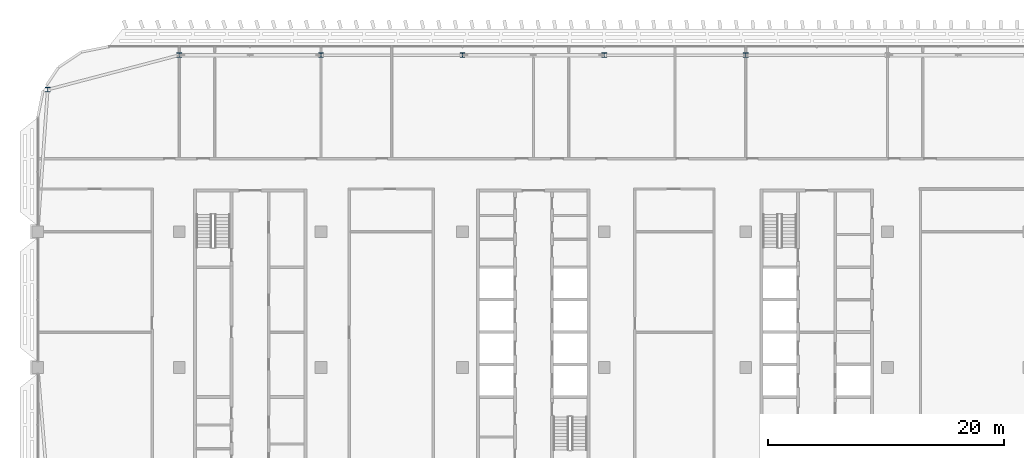
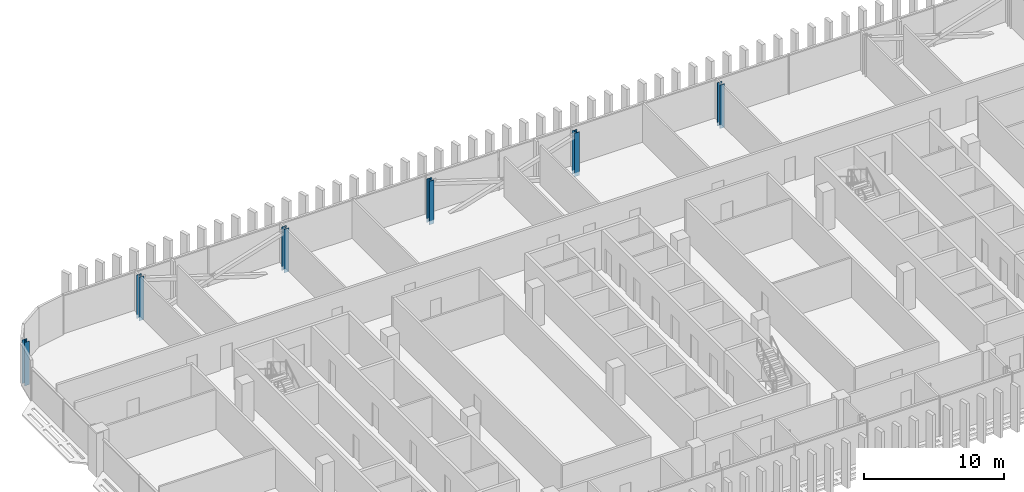
# One storey, part 3 of 34: 6 columns.
"""IFC4 building model written with IfcOpenShell, lengths in metres."""

import ifcopenshell
import ifcopenshell.guid

model = None  # the IFC model being written
_history = None  # IfcOwnerHistory: only IFC2X3 demands one
_inside = {}  # id of a spatial element -> (the spatial element, [elements in it])
_under = {}  # id of a project, library or spatial element -> (it, [spatial elements below it])
_declared = {}  # id of a project -> (the project, [libraries it declares])
_typed = {}  # id of a type object -> (the type object, [elements of that type])
_made_of = {}  # id of a material, layer set ... -> (it, [elements and type objects made of it])


def new_model(schema):
    """Start an empty IFC model of exactly this schema.

    Asked for "IFC4X3", IfcOpenShell would pick the latest addendum, in which some entities
    have other attributes; the version numbers below select the first issue.
    IFC2X3 requires an IfcOwnerHistory on every rooted entity: one is made here for all.
    """
    global model, _history
    if schema == "IFC4X3":
        model = ifcopenshell.file(schema_version=(4, 3, 0, 0))
    else:
        model = ifcopenshell.file(schema=schema)
    _inside.clear()
    _under.clear()
    _declared.clear()
    _typed.clear()
    _made_of.clear()
    _history = None
    if model.schema == "IFC2X3":
        org = make("IfcOrganization", Name="unknown")
        user = make(
            "IfcPersonAndOrganization",
            ThePerson=make("IfcPerson", FamilyName="unknown"),
            TheOrganization=org,
        )
        app = make(
            "IfcApplication",
            ApplicationDeveloper=org,
            Version="unknown",
            ApplicationFullName="unknown",
            ApplicationIdentifier="unknown",
        )
        _history = make(
            "IfcOwnerHistory",
            OwningUser=user,
            OwningApplication=app,
            ChangeAction="ADDED",
            CreationDate=0,
        )
    return model


def make(cls, **values):
    """One entity of the class cls with the attributes given. An attribute that is None is left unset."""
    return model.create_entity(
        cls, **{name: value for name, value in values.items() if value is not None}
    )


def rooted(cls, **values):
    """An entity with a GlobalId (a new one), such as an element, a storey or a relation."""
    return make(cls, GlobalId=ifcopenshell.guid.new(), OwnerHistory=_history, **values)


def si_unit(unit_type, name, prefix=None):
    """IfcSIUnit, for example si_unit("LENGTHUNIT", "METRE", prefix="MILLI")."""
    return make("IfcSIUnit", UnitType=unit_type, Prefix=prefix, Name=name)


def assignment(units):
    """IfcUnitAssignment: the units of a project."""
    return None if units is None else make("IfcUnitAssignment", Units=units)


def point(xyz):
    """IfcCartesianPoint."""
    return None if xyz is None else make("IfcCartesianPoint", Coordinates=xyz)


def direction(xyz):
    """IfcDirection."""
    return None if xyz is None else make("IfcDirection", DirectionRatios=xyz)


def frame(location, z_axis=None, x_axis=None):
    """IfcAxis2Placement3D, a coordinate frame: its origin and axes. An axis left out is left unset."""
    return make(
        "IfcAxis2Placement3D",
        Location=point(location),
        Axis=direction(z_axis),
        RefDirection=direction(x_axis),
    )


def frame_2d(location, x_axis=None):
    """IfcAxis2Placement2D, a coordinate frame in the plane: its origin and x axis."""
    return make(
        "IfcAxis2Placement2D", Location=point(location), RefDirection=direction(x_axis)
    )


def origin():
    """The frame at (0, 0, 0) with its axes left unset."""
    return frame((0.0, 0.0, 0.0))


def origin_2d():
    """The frame at (0, 0) in the plane with its x axis left unset."""
    return frame_2d((0.0, 0.0))


def place(relative_to, where):
    """IfcLocalPlacement: puts the frame where relative to a parent placement (None: the world)."""
    return make(
        "IfcLocalPlacement", PlacementRelTo=relative_to, RelativePlacement=where
    )


def context(
    kind, dimensions, precision=None, world=None, true_north=None, identifier=None
):
    """IfcGeometricRepresentationContext, for example the 3D "Model" context."""
    return make(
        "IfcGeometricRepresentationContext",
        ContextIdentifier=identifier,
        ContextType=kind,
        CoordinateSpaceDimension=dimensions,
        Precision=precision,
        WorldCoordinateSystem=world,
        TrueNorth=true_north,
    )


def subcontext(parent, identifier, kind, view, scale=None):
    """IfcGeometricRepresentationSubContext, for example "Body" below "Model"."""
    return make(
        "IfcGeometricRepresentationSubContext",
        ContextIdentifier=identifier,
        ContextType=kind,
        ParentContext=parent,
        TargetScale=scale,
        TargetView=view,
    )


def project(units=None, contexts=None):
    """IfcProject with its units and contexts."""
    return rooted(
        "IfcProject",
        Name="project",
        RepresentationContexts=contexts,
        UnitsInContext=assignment(units),
    )


def spatial(cls, under=None, at=None, **own):
    """A site, building, storey or space (cls), placed at a placement, below another one or the project."""
    s = rooted(cls, ObjectPlacement=at, **own)
    if under is not None:
        _under.setdefault(under.id(), (under, []))[1].append(s)
    return s


def profile(cls, at=None, kind="AREA", **sizes):
    """A parametric profile (cls). Its sizes go by their IFC names, for example OverallWidth=200.0."""
    return make(cls, ProfileType=kind, Position=at, **sizes)


def i_section(**sizes):
    """IfcIShapeProfileDef."""
    return profile("IfcIShapeProfileDef", **sizes)


def extrude(swept, where, along, depth):
    """IfcExtrudedAreaSolid: the profile swept, set in the frame where, extruded along a direction by depth."""
    return make(
        "IfcExtrudedAreaSolid",
        SweptArea=swept,
        Position=where,
        ExtrudedDirection=direction(along),
        Depth=depth,
    )


def shape(context_of_items, identifier, shape_type, items):
    """IfcShapeRepresentation: the items that make up one representation, for example the "Body"."""
    return make(
        "IfcShapeRepresentation",
        ContextOfItems=context_of_items,
        RepresentationIdentifier=identifier,
        RepresentationType=shape_type,
        Items=items,
    )


def material(Name=None, Category=None):
    """IfcMaterial."""
    return make("IfcMaterial", Name=Name, Category=Category)


def material_profile(
    of_material, cross_section, Name=None, Category=None, Priority=None
):
    """IfcMaterialProfile: a cross section and its material."""
    return make(
        "IfcMaterialProfile",
        Name=Name,
        Material=of_material,
        Profile=cross_section,
        Priority=Priority,
        Category=Category,
    )


def profile_set(profiles, Name=None, composite=None):
    """IfcMaterialProfileSet."""
    return make(
        "IfcMaterialProfileSet",
        Name=Name,
        MaterialProfiles=profiles,
        CompositeProfile=composite,
    )


def made_of(thing, what):
    """Note that an element or type object is made of a material, layer set ...; save() writes the relation."""
    if what is not None:
        _made_of.setdefault(what.id(), (what, []))[1].append(thing)
    return thing


def type_object(cls, material=None, **own):
    """A type object (cls), such as IfcWallType, which elements share."""
    return made_of(rooted(cls, **own), material)


def element(
    cls,
    number,
    at=None,
    inside=None,
    cuts=None,
    type_object=None,
    material=None,
    context=None,
    identifier="Body",
    shape_type=None,
    held_by="IfcProductDefinitionShape",
    body=None,
    shapes=None,
    **own,
):
    """One element of the class cls, such as IfcWall. Its Tag is "e" and its number.

    at: its placement. inside: the storey or other place that contains it. cuts: it is an
    opening in that element (IfcRelVoidsElement). A single representation is given by context,
    identifier, shape_type and body (its items); several are given by shapes. held_by: the class
    of the entity that holds the representations. save() writes the other relations.
    """
    e = rooted(cls, Tag="e%d" % number, ObjectPlacement=at, **own)
    if body is not None:
        shapes = [shape(context, identifier, shape_type, body)]
    if shapes is not None:
        e.Representation = make(held_by, Representations=shapes)
    if inside is not None:
        _inside.setdefault(inside.id(), (inside, []))[1].append(e)
    if cuts is not None:
        rooted(
            "IfcRelVoidsElement", RelatingBuildingElement=cuts, RelatedOpeningElement=e
        )
    if type_object is not None:
        _typed.setdefault(type_object.id(), (type_object, []))[1].append(e)
    return made_of(e, material)


def aggregate(whole, parts):
    """IfcRelAggregates: a whole, such as a stair, and the parts it consists of."""
    return rooted("IfcRelAggregates", RelatingObject=whole, RelatedObjects=parts)


def save(model, path):
    """Write the relations noted so far, then the file.

    IfcRelAggregates (storeys below a building ...), IfcRelContainedInSpatialStructure (elements
    in a storey), IfcRelDefinesByType, IfcRelAssociatesMaterial and IfcRelDeclares: one each for
    every whole, place, type object, material and project.
    """
    for whole, parts in _under.values():
        aggregate(whole, parts)
    for where, things in _inside.values():
        rooted(
            "IfcRelContainedInSpatialStructure",
            RelatedElements=things,
            RelatingStructure=where,
        )
    for kind, things in _typed.values():
        rooted("IfcRelDefinesByType", RelatedObjects=things, RelatingType=kind)
    for what, things in _made_of.values():
        rooted("IfcRelAssociatesMaterial", RelatedObjects=things, RelatingMaterial=what)
    for by, libraries in _declared.values():
        rooted("IfcRelDeclares", RelatingContext=by, RelatedDefinitions=libraries)
    model.write(path)


model = new_model("IFC4")

# Units and contexts
model_context = context("Model", 3, precision=1e-05, world=origin(), true_north=direction((0.0, 1.0)))
body_context = subcontext(model_context, "Body", "Model", "MODEL_VIEW")
ifc_project = project(units=[si_unit("LENGTHUNIT", "METRE"), si_unit("AREAUNIT", "SQUARE_METRE"), si_unit("VOLUMEUNIT", "CUBIC_METRE"), si_unit("PLANEANGLEUNIT", "RADIAN"), si_unit("MASSUNIT", "GRAM", prefix="KILO")], contexts=[model_context])

# Site, building, storey
site_placement = place(None, origin())
site = spatial("IfcSite", under=ifc_project, at=site_placement, CompositionType="ELEMENT")
building_placement = place(site_placement, origin())
building = spatial("IfcBuilding", under=site, at=building_placement, Name="Mahtab Terrace Research Tower", CompositionType="ELEMENT")
storey_placement = place(building_placement, frame((0.0, 0.0, 247.60009765625)))
storey = spatial("IfcBuildingStorey", under=building, at=storey_placement, Name="L60", CompositionType="ELEMENT", Elevation=247.60009765625)

# Columns
ifc_material = material(Name="Steel ASTM A992 Gr 50", Category="steel")
ifc_material_profile = material_profile(ifc_material, i_section(OverallWidth=0.398681640625, OverallDepth=0.385986328125, WebThickness=0.02099609375, FlangeThickness=0.033203125, at=origin_2d()), Name="W14X176")
ifc_profile_set = profile_set([ifc_material_profile], Name="Steel ASTM A992 Gr 50")
column_type = type_object("IfcColumnType", Name="W14x176 column CS14176", PredefinedType="COLUMN", material=ifc_profile_set)
for number, where, z_axis, x_axis, name in (
    (1, (18.0, 26.472900390625, -0.340087890625), (0.0, 0.0, 1.0), (1.0, 0.0, 0.0), "Column SC-055 L60"),
    (2, (6.0, 26.472900390625, -0.340087890625), (0.0, 0.0, 1.0), (1.0, 0.0, 0.0), "Column SC-056 L60"),
    (3, (-6.0, 26.472900390625, -0.340087890625), (0.0, 0.0, 1.0), (1.0, 0.0, 0.0), "Column SC-057 L60"),
    (4, (-18.0, 26.472900390625, -0.340087890625), (0.0, 0.0, 1.0), (1.0, 0.0, 0.0), "Column SC-058 L60"),
    (5, (-30.0, 26.472900390625, -0.340087890625), (0.0, 0.0, 1.0), (1.0, 0.0, 0.0), "Column SC-059 L60"),
    (6, (-41.154052734375, 23.5458984375, -0.340087890625), (0.0, 0.0, 1.0), (1.0, 0.0, 0.0), "Column SC-060 L60"),
):
    element("IfcColumn", number, at=place(storey_placement, frame(where, z_axis=z_axis, x_axis=x_axis)), inside=storey, type_object=column_type, Name=name, PredefinedType="COLUMN", context=body_context, shape_type="SweptSolid", body=[
        extrude(i_section(OverallWidth=0.398681640625, OverallDepth=0.385986328125, WebThickness=0.02099609375, FlangeThickness=0.033203125, at=origin_2d()), origin(), (0.0, 0.0, 1.0), 3.800048828125),
    ])

save(model, "model.ifc")
